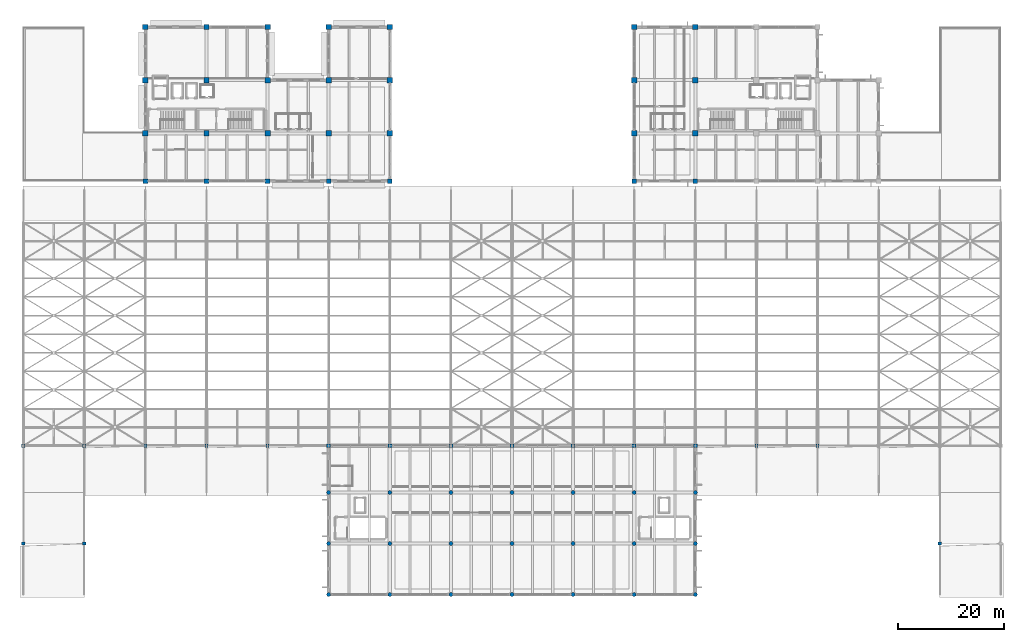
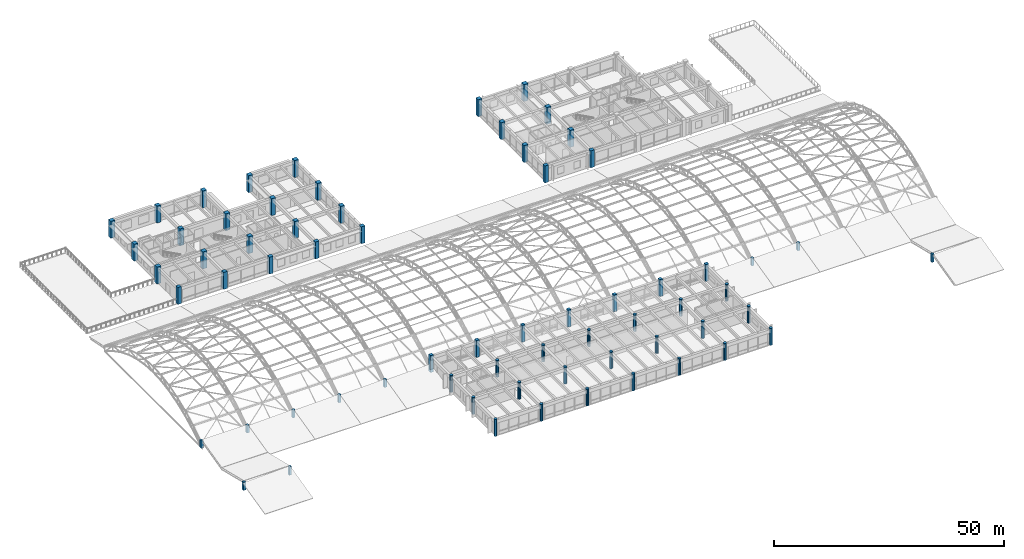
# One storey, part 1 of 154: 66 columns.
"""IFC4 building model written with IfcOpenShell, lengths in metres."""

import ifcopenshell
import ifcopenshell.guid

model = None  # the IFC model being written
_history = None  # IfcOwnerHistory: only IFC2X3 demands one
_inside = {}  # id of a spatial element -> (the spatial element, [elements in it])
_under = {}  # id of a project, library or spatial element -> (it, [spatial elements below it])
_declared = {}  # id of a project -> (the project, [libraries it declares])
_typed = {}  # id of a type object -> (the type object, [elements of that type])
_made_of = {}  # id of a material, layer set ... -> (it, [elements and type objects made of it])


def new_model(schema):
    """Start an empty IFC model of exactly this schema.

    Asked for "IFC4X3", IfcOpenShell would pick the latest addendum, in which some entities
    have other attributes; the version numbers below select the first issue.
    IFC2X3 requires an IfcOwnerHistory on every rooted entity: one is made here for all.
    """
    global model, _history
    if schema == "IFC4X3":
        model = ifcopenshell.file(schema_version=(4, 3, 0, 0))
    else:
        model = ifcopenshell.file(schema=schema)
    _inside.clear()
    _under.clear()
    _declared.clear()
    _typed.clear()
    _made_of.clear()
    _history = None
    if model.schema == "IFC2X3":
        org = make("IfcOrganization", Name="unknown")
        user = make(
            "IfcPersonAndOrganization",
            ThePerson=make("IfcPerson", FamilyName="unknown"),
            TheOrganization=org,
        )
        app = make(
            "IfcApplication",
            ApplicationDeveloper=org,
            Version="unknown",
            ApplicationFullName="unknown",
            ApplicationIdentifier="unknown",
        )
        _history = make(
            "IfcOwnerHistory",
            OwningUser=user,
            OwningApplication=app,
            ChangeAction="ADDED",
            CreationDate=0,
        )
    return model


def make(cls, **values):
    """One entity of the class cls with the attributes given. An attribute that is None is left unset."""
    return model.create_entity(
        cls, **{name: value for name, value in values.items() if value is not None}
    )


def rooted(cls, **values):
    """An entity with a GlobalId (a new one), such as an element, a storey or a relation."""
    return make(cls, GlobalId=ifcopenshell.guid.new(), OwnerHistory=_history, **values)


def si_unit(unit_type, name, prefix=None):
    """IfcSIUnit, for example si_unit("LENGTHUNIT", "METRE", prefix="MILLI")."""
    return make("IfcSIUnit", UnitType=unit_type, Prefix=prefix, Name=name)


def assignment(units):
    """IfcUnitAssignment: the units of a project."""
    return None if units is None else make("IfcUnitAssignment", Units=units)


def point(xyz):
    """IfcCartesianPoint."""
    return None if xyz is None else make("IfcCartesianPoint", Coordinates=xyz)


def direction(xyz):
    """IfcDirection."""
    return None if xyz is None else make("IfcDirection", DirectionRatios=xyz)


def frame(location, z_axis=None, x_axis=None):
    """IfcAxis2Placement3D, a coordinate frame: its origin and axes. An axis left out is left unset."""
    return make(
        "IfcAxis2Placement3D",
        Location=point(location),
        Axis=direction(z_axis),
        RefDirection=direction(x_axis),
    )


def frame_2d(location, x_axis=None):
    """IfcAxis2Placement2D, a coordinate frame in the plane: its origin and x axis."""
    return make(
        "IfcAxis2Placement2D", Location=point(location), RefDirection=direction(x_axis)
    )


def origin():
    """The frame at (0, 0, 0) with its axes left unset."""
    return frame((0.0, 0.0, 0.0))


def origin_2d():
    """The frame at (0, 0) in the plane with its x axis left unset."""
    return frame_2d((0.0, 0.0))


def place(relative_to, where):
    """IfcLocalPlacement: puts the frame where relative to a parent placement (None: the world)."""
    return make(
        "IfcLocalPlacement", PlacementRelTo=relative_to, RelativePlacement=where
    )


def context(
    kind, dimensions, precision=None, world=None, true_north=None, identifier=None
):
    """IfcGeometricRepresentationContext, for example the 3D "Model" context."""
    return make(
        "IfcGeometricRepresentationContext",
        ContextIdentifier=identifier,
        ContextType=kind,
        CoordinateSpaceDimension=dimensions,
        Precision=precision,
        WorldCoordinateSystem=world,
        TrueNorth=true_north,
    )


def subcontext(parent, identifier, kind, view, scale=None):
    """IfcGeometricRepresentationSubContext, for example "Body" below "Model"."""
    return make(
        "IfcGeometricRepresentationSubContext",
        ContextIdentifier=identifier,
        ContextType=kind,
        ParentContext=parent,
        TargetScale=scale,
        TargetView=view,
    )


def project(units=None, contexts=None):
    """IfcProject with its units and contexts."""
    return rooted(
        "IfcProject",
        Name="project",
        RepresentationContexts=contexts,
        UnitsInContext=assignment(units),
    )


def spatial(cls, under=None, at=None, **own):
    """A site, building, storey or space (cls), placed at a placement, below another one or the project."""
    s = rooted(cls, ObjectPlacement=at, **own)
    if under is not None:
        _under.setdefault(under.id(), (under, []))[1].append(s)
    return s


def profile(cls, at=None, kind="AREA", **sizes):
    """A parametric profile (cls). Its sizes go by their IFC names, for example OverallWidth=200.0."""
    return make(cls, ProfileType=kind, Position=at, **sizes)


def rectangle(**sizes):
    """IfcRectangleProfileDef."""
    return profile("IfcRectangleProfileDef", **sizes)


def circle(**sizes):
    """IfcCircleProfileDef."""
    return profile("IfcCircleProfileDef", **sizes)


def extrude(swept, where, along, depth):
    """IfcExtrudedAreaSolid: the profile swept, set in the frame where, extruded along a direction by depth."""
    return make(
        "IfcExtrudedAreaSolid",
        SweptArea=swept,
        Position=where,
        ExtrudedDirection=direction(along),
        Depth=depth,
    )


def shape(context_of_items, identifier, shape_type, items):
    """IfcShapeRepresentation: the items that make up one representation, for example the "Body"."""
    return make(
        "IfcShapeRepresentation",
        ContextOfItems=context_of_items,
        RepresentationIdentifier=identifier,
        RepresentationType=shape_type,
        Items=items,
    )


def material(Name=None, Category=None):
    """IfcMaterial."""
    return make("IfcMaterial", Name=Name, Category=Category)


def material_profile(
    of_material, cross_section, Name=None, Category=None, Priority=None
):
    """IfcMaterialProfile: a cross section and its material."""
    return make(
        "IfcMaterialProfile",
        Name=Name,
        Material=of_material,
        Profile=cross_section,
        Priority=Priority,
        Category=Category,
    )


def profile_set(profiles, Name=None, composite=None):
    """IfcMaterialProfileSet."""
    return make(
        "IfcMaterialProfileSet",
        Name=Name,
        MaterialProfiles=profiles,
        CompositeProfile=composite,
    )


def made_of(thing, what):
    """Note that an element or type object is made of a material, layer set ...; save() writes the relation."""
    if what is not None:
        _made_of.setdefault(what.id(), (what, []))[1].append(thing)
    return thing


def type_object(cls, material=None, **own):
    """A type object (cls), such as IfcWallType, which elements share."""
    return made_of(rooted(cls, **own), material)


def element(
    cls,
    number,
    at=None,
    inside=None,
    cuts=None,
    type_object=None,
    material=None,
    context=None,
    identifier="Body",
    shape_type=None,
    held_by="IfcProductDefinitionShape",
    body=None,
    shapes=None,
    **own,
):
    """One element of the class cls, such as IfcWall. Its Tag is "e" and its number.

    at: its placement. inside: the storey or other place that contains it. cuts: it is an
    opening in that element (IfcRelVoidsElement). A single representation is given by context,
    identifier, shape_type and body (its items); several are given by shapes. held_by: the class
    of the entity that holds the representations. save() writes the other relations.
    """
    e = rooted(cls, Tag="e%d" % number, ObjectPlacement=at, **own)
    if body is not None:
        shapes = [shape(context, identifier, shape_type, body)]
    if shapes is not None:
        e.Representation = make(held_by, Representations=shapes)
    if inside is not None:
        _inside.setdefault(inside.id(), (inside, []))[1].append(e)
    if cuts is not None:
        rooted(
            "IfcRelVoidsElement", RelatingBuildingElement=cuts, RelatedOpeningElement=e
        )
    if type_object is not None:
        _typed.setdefault(type_object.id(), (type_object, []))[1].append(e)
    return made_of(e, material)


def aggregate(whole, parts):
    """IfcRelAggregates: a whole, such as a stair, and the parts it consists of."""
    return rooted("IfcRelAggregates", RelatingObject=whole, RelatedObjects=parts)


def save(model, path):
    """Write the relations noted so far, then the file.

    IfcRelAggregates (storeys below a building ...), IfcRelContainedInSpatialStructure (elements
    in a storey), IfcRelDefinesByType, IfcRelAssociatesMaterial and IfcRelDeclares: one each for
    every whole, place, type object, material and project.
    """
    for whole, parts in _under.values():
        aggregate(whole, parts)
    for where, things in _inside.values():
        rooted(
            "IfcRelContainedInSpatialStructure",
            RelatedElements=things,
            RelatingStructure=where,
        )
    for kind, things in _typed.values():
        rooted("IfcRelDefinesByType", RelatedObjects=things, RelatingType=kind)
    for what, things in _made_of.values():
        rooted("IfcRelAssociatesMaterial", RelatedObjects=things, RelatingMaterial=what)
    for by, libraries in _declared.values():
        rooted("IfcRelDeclares", RelatingContext=by, RelatedDefinitions=libraries)
    model.write(path)


model = new_model("IFC4")

# Units and contexts
model_context = context("Model", 3, precision=1e-05, world=origin(), true_north=direction((0.0, 1.0)))
body_context = subcontext(model_context, "Body", "Model", "MODEL_VIEW")
ifc_project = project(units=[si_unit("LENGTHUNIT", "METRE"), si_unit("AREAUNIT", "SQUARE_METRE"), si_unit("VOLUMEUNIT", "CUBIC_METRE"), si_unit("PLANEANGLEUNIT", "RADIAN"), si_unit("MASSUNIT", "GRAM", prefix="KILO")], contexts=[model_context])

# Site, building, storey
site_placement = place(None, origin())
site = spatial("IfcSite", under=ifc_project, at=site_placement, CompositionType="ELEMENT")
building_placement = place(site_placement, origin())
building = spatial("IfcBuilding", under=site, at=building_placement, Name="Ologun Quay Terminus", CompositionType="ELEMENT")
storey_placement = place(building_placement, frame((0.0, 0.0, 13.800048828125)))
storey = spatial("IfcBuildingStorey", under=building, at=storey_placement, Name="L03", CompositionType="ELEMENT", Elevation=13.800048828125)

# Columns
ifc_material_1 = material(Name="Concrete C45/55", Category="concrete")
ifc_material_profile_1 = material_profile(ifc_material_1, rectangle(XDim=0.89990234375, YDim=0.89990234375, at=origin_2d()), Name="RC 900x900")
ifc_profile_set_1 = profile_set([ifc_material_profile_1], Name="Concrete C45/55")
column_type_1 = type_object("IfcColumnType", Name="Courtyard Wing Mid Column 900x900", PredefinedType="COLUMN", material=ifc_profile_set_1)
for number, where, z_axis, x_axis, name in (
    (1, (23.0, 85.800048828125, 0.0), (0.0, 0.0, 1.0), (1.0, 0.0, 0.0), "C3 Column 3/G2 L03"),
    (2, (34.5, 85.800048828125, 0.0), (0.0, 0.0, 1.0), (1.0, 0.0, 0.0), "C3 Column 4/G2 L03"),
    (3, (46.0, 85.800048828125, 0.0), (0.0, 0.0, 1.0), (1.0, 0.0, 0.0), "C3 Column 5/G2 L03"),
    (4, (57.5, 85.800048828125, 0.0), (0.0, 0.0, 1.0), (1.0, 0.0, 0.0), "C3 Column 6/G2 L03"),
    (5, (69.0, 85.800048828125, 0.0), (0.0, 0.0, 1.0), (1.0, 0.0, 0.0), "C3 Column 7/G2 L03"),
    (6, (115.0, 85.800048828125, 0.0), (0.0, 0.0, 1.0), (1.0, 0.0, 0.0), "C3 Column 11/G2 L03"),
    (7, (126.5, 85.800048828125, 0.0), (0.0, 0.0, 1.0), (1.0, 0.0, 0.0), "C3 Column 12/G2 L03"),
):
    element("IfcColumn", number, at=place(storey_placement, frame(where, z_axis=z_axis, x_axis=x_axis)), inside=storey, type_object=column_type_1, Name=name, PredefinedType="COLUMN", context=body_context, shape_type="SweptSolid", body=[
        extrude(rectangle(XDim=0.89990234375, YDim=0.89990234375, at=origin_2d()), origin(), (0.0, 0.0, 1.0), 4.5),
    ])
ifc_material_2 = material(Name="Concrete C45/55", Category="concrete")
ifc_material_profile_2 = material_profile(ifc_material_2, rectangle(XDim=1.0, YDim=1.0, at=origin_2d()), Name="RC 1000x1000")
ifc_profile_set_2 = profile_set([ifc_material_profile_2], Name="Concrete C45/55")
column_type_2 = type_object("IfcColumnType", Name="Courtyard Wing Mid-Lower Column 1000x1000", PredefinedType="COLUMN", material=ifc_profile_set_2)
for number, where, z_axis, x_axis, name in (
    (8, (23.0, 94.800048828125, 0.0), (0.0, 0.0, 1.0), (1.0, 0.0, 0.0), "C2 Column 3/H L03"),
    (9, (23.0, 104.800048828125, 0.0), (0.0, 0.0, 1.0), (1.0, 0.0, 0.0), "C2 Column 3/J L03"),
    (10, (23.0, 114.800048828125, 0.0), (0.0, 0.0, 1.0), (1.0, 0.0, 0.0), "C2 Column 3/K L03"),
    (11, (34.5, 94.800048828125, 0.0), (0.0, 0.0, 1.0), (1.0, 0.0, 0.0), "C2 Column 4/H L03"),
    (12, (34.5, 104.800048828125, 0.0), (0.0, 0.0, 1.0), (1.0, 0.0, 0.0), "C2 Column 4/J L03"),
    (13, (34.5, 114.800048828125, 0.0), (0.0, 0.0, 1.0), (1.0, 0.0, 0.0), "C2 Column 4/K L03"),
    (14, (46.0, 94.800048828125, 0.0), (0.0, 0.0, 1.0), (1.0, 0.0, 0.0), "C2 Column 5/H L03"),
    (15, (46.0, 104.800048828125, 0.0), (0.0, 0.0, 1.0), (1.0, 0.0, 0.0), "C2 Column 5/J L03"),
    (16, (46.0, 114.800048828125, 0.0), (0.0, 0.0, 1.0), (1.0, 0.0, 0.0), "C2 Column 5/K L03"),
    (17, (57.5, 94.800048828125, 0.0), (0.0, 0.0, 1.0), (1.0, 0.0, 0.0), "C2 Column 6/H L03"),
    (18, (57.5, 104.800048828125, 0.0), (0.0, 0.0, 1.0), (1.0, 0.0, 0.0), "C2 Column 6/J L03"),
    (19, (57.5, 114.800048828125, 0.0), (0.0, 0.0, 1.0), (1.0, 0.0, 0.0), "C2 Column 6/K L03"),
    (20, (69.0, 94.800048828125, 0.0), (0.0, 0.0, 1.0), (1.0, 0.0, 0.0), "C2 Column 7/H L03"),
    (21, (69.0, 104.800048828125, 0.0), (0.0, 0.0, 1.0), (1.0, 0.0, 0.0), "C2 Column 7/J L03"),
    (22, (69.0, 114.800048828125, 0.0), (0.0, 0.0, 1.0), (1.0, 0.0, 0.0), "C2 Column 7/K L03"),
    (23, (115.0, 94.800048828125, 0.0), (0.0, 0.0, 1.0), (1.0, 0.0, 0.0), "C2 Column 11/H L03"),
    (24, (115.0, 104.800048828125, 0.0), (0.0, 0.0, 1.0), (1.0, 0.0, 0.0), "C2 Column 11/J L03"),
    (25, (115.0, 114.800048828125, 0.0), (0.0, 0.0, 1.0), (1.0, 0.0, 0.0), "C2 Column 11/K L03"),
    (26, (126.5, 94.800048828125, 0.0), (0.0, 0.0, 1.0), (1.0, 0.0, 0.0), "C2 Column 12/H L03"),
    (27, (126.5, 104.800048828125, 0.0), (0.0, 0.0, 1.0), (1.0, 0.0, 0.0), "C2 Column 12/J L03"),
    (28, (126.5, 114.800048828125, 0.0), (0.0, 0.0, 1.0), (1.0, 0.0, 0.0), "C2 Column 12/K L03"),
):
    element("IfcColumn", number, at=place(storey_placement, frame(where, z_axis=z_axis, x_axis=x_axis)), inside=storey, type_object=column_type_2, Name=name, PredefinedType="COLUMN", context=body_context, shape_type="SweptSolid", body=[
        extrude(rectangle(XDim=1.0, YDim=1.0, at=origin_2d()), origin(), (0.0, 0.0, 1.0), 4.5),
    ])
ifc_material_3 = material(Name="Concrete C40/50", Category="concrete")
ifc_material_profile_3 = material_profile(ifc_material_3, rectangle(XDim=0.60009765625, YDim=0.60009765625, at=origin_2d()), Name="RC 600x600")
ifc_profile_set_3 = profile_set([ifc_material_profile_3], Name="Concrete C40/50")
column_type_3 = type_object("IfcColumnType", Name="Podium Retail Column 600x600", PredefinedType="COLUMN", material=ifc_profile_set_3)
column_1_placement = place(storey_placement, frame((0.0, 17.60009765625, 0.0), z_axis=(0.0, 0.0, 1.0), x_axis=(1.0, 0.0, 0.0)))
element("IfcColumn", 29, at=column_1_placement, inside=storey, type_object=column_type_3, Name="C7 Roof Ridge Stub L03-SW-1-BCB", PredefinedType="COLUMN", context=body_context, shape_type="SweptSolid", body=[
    extrude(rectangle(XDim=0.60009765625, YDim=0.60009765625, at=origin_2d()), origin(), (0.0, 0.0, 1.0), 2.22998046875),
])
column_2_placement = place(storey_placement, frame((0.0, 36.0, 0.0), z_axis=(0.0, 0.0, 1.0), x_axis=(1.0, 0.0, 0.0)))
element("IfcColumn", 30, at=column_2_placement, inside=storey, type_object=column_type_3, Name="C7 Roof Ridge Stub L03-SW-1-DEB", PredefinedType="COLUMN", context=body_context, shape_type="SweptSolid", body=[
    extrude(rectangle(XDim=0.60009765625, YDim=0.60009765625, at=origin_2d()), origin(), (0.0, 0.0, 1.0), 2.030029296875),
])
column_3_placement = place(storey_placement, frame((11.5, 17.60009765625, 0.0), z_axis=(0.0, 0.0, 1.0), x_axis=(1.0, 0.0, 0.0)))
element("IfcColumn", 31, at=column_3_placement, inside=storey, type_object=column_type_3, Name="C7 Roof Ridge Stub L03-SW-2-BCB", PredefinedType="COLUMN", context=body_context, shape_type="SweptSolid", body=[
    extrude(rectangle(XDim=0.60009765625, YDim=0.60009765625, at=origin_2d()), origin(), (0.0, 0.0, 1.0), 2.22998046875),
])
column_4_placement = place(storey_placement, frame((11.5, 36.0, 0.0), z_axis=(0.0, 0.0, 1.0), x_axis=(1.0, 0.0, 0.0)))
element("IfcColumn", 32, at=column_4_placement, inside=storey, type_object=column_type_3, Name="C7 Roof Ridge Stub L03-SW-2-DEB", PredefinedType="COLUMN", context=body_context, shape_type="SweptSolid", body=[
    extrude(rectangle(XDim=0.60009765625, YDim=0.60009765625, at=origin_2d()), origin(), (0.0, 0.0, 1.0), 2.030029296875),
])
column_5_placement = place(storey_placement, frame((172.5, 17.60009765625, 0.0), z_axis=(0.0, 0.0, 1.0), x_axis=(1.0, 0.0, 0.0)))
element("IfcColumn", 33, at=column_5_placement, inside=storey, type_object=column_type_3, Name="C7 Roof Ridge Stub L03-SE-16-BCB", PredefinedType="COLUMN", context=body_context, shape_type="SweptSolid", body=[
    extrude(rectangle(XDim=0.60009765625, YDim=0.60009765625, at=origin_2d()), origin(), (0.0, 0.0, 1.0), 2.22998046875),
])
for number, where, z_axis, x_axis, name in (
    (34, (23.0, 36.0, 0.0), (0.0, 0.0, 1.0), (1.0, 0.0, 0.0), "C7 Roof Ridge Stub L03-SWL-3-DEB"),
    (35, (34.5, 36.0, 0.0), (0.0, 0.0, 1.0), (1.0, 0.0, 0.0), "C7 Roof Ridge Stub L03-SWL-4-DEB"),
    (36, (46.0, 36.0, 0.0), (0.0, 0.0, 1.0), (1.0, 0.0, 0.0), "C7 Roof Ridge Stub L03-SWL-5-DEB"),
    (37, (138.0, 36.0, 0.0), (0.0, 0.0, 1.0), (1.0, 0.0, 0.0), "C7 Roof Ridge Stub L03-SEL-13-DEB"),
    (38, (149.5, 36.0, 0.0), (0.0, 0.0, 1.0), (1.0, 0.0, 0.0), "C7 Roof Ridge Stub L03-SEL-14-DEB"),
):
    element("IfcColumn", number, at=place(storey_placement, frame(where, z_axis=z_axis, x_axis=x_axis)), inside=storey, type_object=column_type_3, Name=name, PredefinedType="COLUMN", context=body_context, shape_type="SweptSolid", body=[
        extrude(rectangle(XDim=0.60009765625, YDim=0.60009765625, at=origin_2d()), origin(), (0.0, 0.0, 1.0), 2.030029296875),
    ])
ifc_material_4 = material(Name="Concrete C40/50", Category="concrete")
ifc_material_profile_4 = material_profile(ifc_material_4, circle(Radius=0.375, at=origin_2d()), Name="RC D750")
ifc_profile_set_4 = profile_set([ifc_material_profile_4], Name="Concrete C40/50")
column_type_4 = type_object("IfcColumnType", Name="Promenade Colonnade Circular Column D750", PredefinedType="COLUMN", material=ifc_profile_set_4)
for number, where, z_axis, x_axis, name in (
    (39, (57.5, 8.0, 0.0), (0.0, 0.0, 1.0), (1.0, 0.0, 0.0), "C10 Column 6/B L03"),
    (40, (57.5, 17.60009765625, 0.0), (0.0, 0.0, 1.0), (1.0, 0.0, 0.0), "C10 Column 6/C L03"),
    (41, (57.5, 27.199951171875, 0.0), (0.0, 0.0, 1.0), (1.0, 0.0, 0.0), "C10 Column 6/D L03"),
    (42, (69.0, 8.0, 0.0), (0.0, 0.0, 1.0), (1.0, 0.0, 0.0), "C10 Column 7/B L03"),
    (43, (69.0, 17.60009765625, 0.0), (0.0, 0.0, 1.0), (1.0, 0.0, 0.0), "C10 Column 7/C L03"),
    (44, (69.0, 27.199951171875, 0.0), (0.0, 0.0, 1.0), (1.0, 0.0, 0.0), "C10 Column 7/D L03"),
    (45, (80.5, 8.0, 0.0), (0.0, 0.0, 1.0), (1.0, 0.0, 0.0), "C10 Column 8/B L03"),
    (46, (80.5, 17.60009765625, 0.0), (0.0, 0.0, 1.0), (1.0, 0.0, 0.0), "C10 Column 8/C L03"),
    (47, (80.5, 27.199951171875, 0.0), (0.0, 0.0, 1.0), (1.0, 0.0, 0.0), "C10 Column 8/D L03"),
    (48, (92.0, 8.0, 0.0), (0.0, 0.0, 1.0), (1.0, 0.0, 0.0), "C10 Column 9/B L03"),
    (49, (92.0, 17.60009765625, 0.0), (0.0, 0.0, 1.0), (1.0, 0.0, 0.0), "C10 Column 9/C L03"),
    (50, (92.0, 27.199951171875, 0.0), (0.0, 0.0, 1.0), (1.0, 0.0, 0.0), "C10 Column 9/D L03"),
    (51, (103.5, 8.0, 0.0), (0.0, 0.0, 1.0), (1.0, 0.0, 0.0), "C10 Column 10/B L03"),
    (52, (103.5, 17.60009765625, 0.0), (0.0, 0.0, 1.0), (1.0, 0.0, 0.0), "C10 Column 10/C L03"),
    (53, (103.5, 27.199951171875, 0.0), (0.0, 0.0, 1.0), (1.0, 0.0, 0.0), "C10 Column 10/D L03"),
    (54, (115.0, 8.0, 0.0), (0.0, 0.0, 1.0), (1.0, 0.0, 0.0), "C10 Column 11/B L03"),
    (55, (115.0, 17.60009765625, 0.0), (0.0, 0.0, 1.0), (1.0, 0.0, 0.0), "C10 Column 11/C L03"),
    (56, (115.0, 27.199951171875, 0.0), (0.0, 0.0, 1.0), (1.0, 0.0, 0.0), "C10 Column 11/D L03"),
    (57, (126.5, 8.0, 0.0), (0.0, 0.0, 1.0), (1.0, 0.0, 0.0), "C10 Column 12/B L03"),
    (58, (126.5, 17.60009765625, 0.0), (0.0, 0.0, 1.0), (1.0, 0.0, 0.0), "C10 Column 12/C L03"),
    (59, (126.5, 27.199951171875, 0.0), (0.0, 0.0, 1.0), (1.0, 0.0, 0.0), "C10 Column 12/D L03"),
):
    element("IfcColumn", number, at=place(storey_placement, frame(where, z_axis=z_axis, x_axis=x_axis)), inside=storey, type_object=column_type_4, Name=name, PredefinedType="COLUMN", context=body_context, shape_type="SweptSolid", body=[
        extrude(circle(Radius=0.375, at=origin_2d()), origin(), (0.0, 0.0, 1.0), 4.5),
    ])
ifc_material_5 = material(Name="Concrete C45/55", Category="concrete")
ifc_material_profile_5 = material_profile(ifc_material_5, rectangle(XDim=0.75, YDim=0.75, at=origin_2d()), Name="RC 750x750")
ifc_profile_set_5 = profile_set([ifc_material_profile_5], Name="Concrete C45/55")
column_type_5 = type_object("IfcColumnType", Name="Station Arch Pier Stem 750x750", PredefinedType="COLUMN", material=ifc_profile_set_5)
for number, where, z_axis, x_axis, name in (
    (60, (57.5, 36.0, 0.0), (0.0, 0.0, 1.0), (1.0, 0.0, 0.0), "C5 Column 6/E L03"),
    (61, (69.0, 36.0, 0.0), (0.0, 0.0, 1.0), (1.0, 0.0, 0.0), "C5 Column 7/E L03"),
    (62, (80.5, 36.0, 0.0), (0.0, 0.0, 1.0), (1.0, 0.0, 0.0), "C5 Column 8/E L03"),
    (63, (92.0, 36.0, 0.0), (0.0, 0.0, 1.0), (1.0, 0.0, 0.0), "C5 Column 9/E L03"),
    (64, (103.5, 36.0, 0.0), (0.0, 0.0, 1.0), (1.0, 0.0, 0.0), "C5 Column 10/E L03"),
    (65, (115.0, 36.0, 0.0), (0.0, 0.0, 1.0), (1.0, 0.0, 0.0), "C5 Column 11/E L03"),
    (66, (126.5, 36.0, 0.0), (0.0, 0.0, 1.0), (1.0, 0.0, 0.0), "C5 Column 12/E L03"),
):
    element("IfcColumn", number, at=place(storey_placement, frame(where, z_axis=z_axis, x_axis=x_axis)), inside=storey, type_object=column_type_5, Name=name, PredefinedType="COLUMN", context=body_context, shape_type="SweptSolid", body=[
        extrude(rectangle(XDim=0.75, YDim=0.75, at=origin_2d()), origin(), (0.0, 0.0, 1.0), 4.5),
    ])

save(model, "model.ifc")
